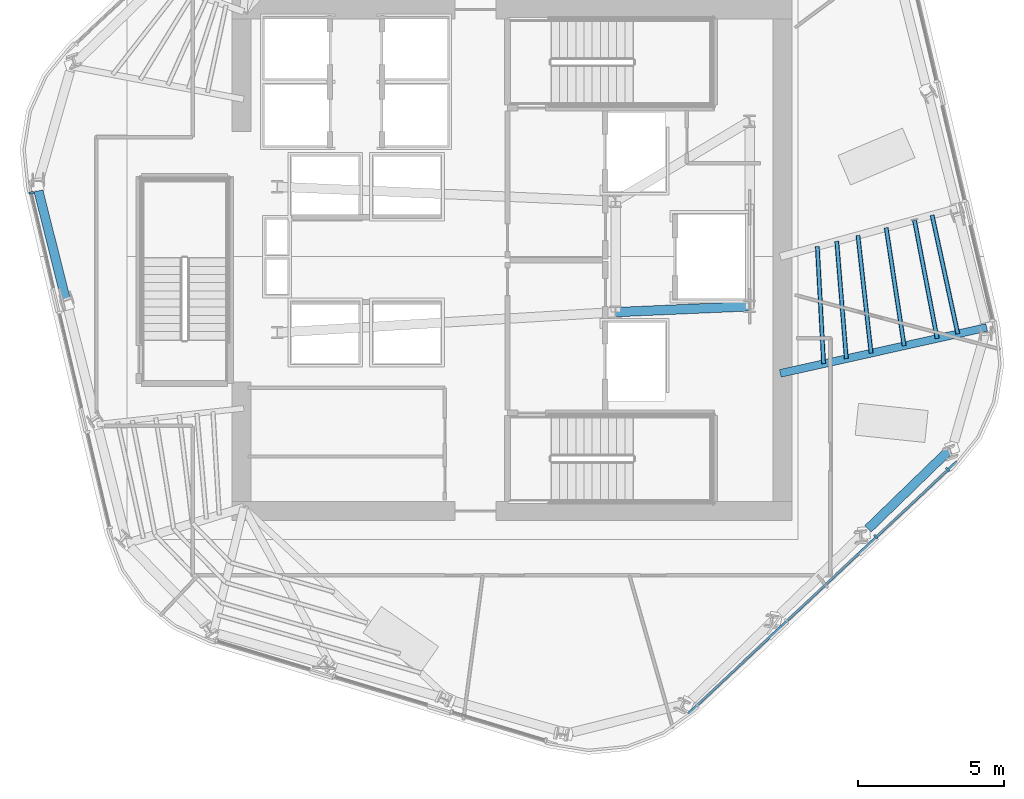
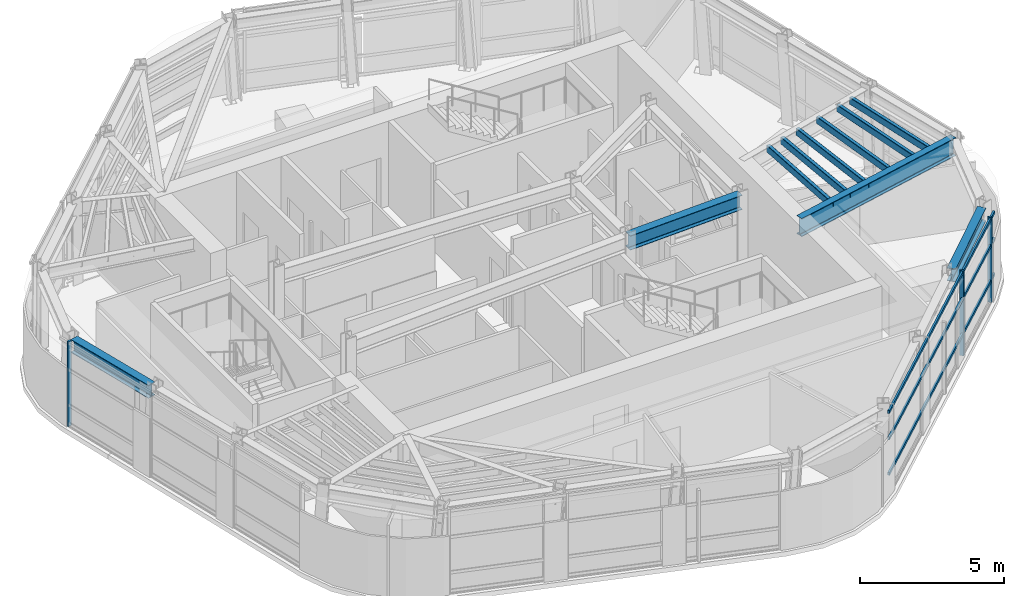
# One storey, part 3 of 14: 12 members, 4 beams, 2 elements without a shape of their own.
"""IFC4 building model written with IfcOpenShell, lengths in metres."""

from ifc_helpers import new_model, si_unit, direction, frame, origin, origin_2d, place, context, subcontext, project, spatial, rectangle, hollow_rectangle, i_section, extrude, material, layer, layer_set, material_profile, profile_set, type_object, element, aggregate, save


model = new_model("IFC4")

# Units and contexts
model_context = context("Model", 3, precision=1e-05, world=origin(), true_north=direction((0.0, 1.0)))
body_context = subcontext(model_context, "Body", "Model", "MODEL_VIEW")
ifc_project = project(units=[si_unit("LENGTHUNIT", "METRE"), si_unit("AREAUNIT", "SQUARE_METRE"), si_unit("VOLUMEUNIT", "CUBIC_METRE"), si_unit("PLANEANGLEUNIT", "RADIAN"), si_unit("MASSUNIT", "GRAM", prefix="KILO")], contexts=[model_context])

# Site, building, storey
site_placement = place(None, origin())
site = spatial("IfcSite", under=ifc_project, at=site_placement, CompositionType="ELEMENT")
building_placement = place(site_placement, origin())
building = spatial("IfcBuilding", under=site, at=building_placement, Name="Valkerne Bourse Tower", CompositionType="ELEMENT")
storey_placement = place(building_placement, frame((0.0, 0.0, 209.39990234375)))
storey = spatial("IfcBuildingStorey", under=building, at=storey_placement, Name="L53", CompositionType="ELEMENT", Elevation=209.39990234375)

# Beams
ifc_material_1 = material(Name="Steel ASTM A992", Category="steel")
ifc_material_profile_1 = material_profile(ifc_material_1, i_section(OverallWidth=0.31494140625, OverallDepth=0.5537109375, WebThickness=0.0166015625, FlangeThickness=0.026123046875, FilletRadius=0.020263671875, at=origin_2d()), Name="W21X132")
ifc_profile_set_1 = profile_set([ifc_material_profile_1], Name="Steel ASTM A992")
beam_type_1 = type_object("IfcBeamType", Name="BM-W21X132", PredefinedType="BEAM", material=ifc_profile_set_1)
beam_1_placement = place(storey_placement, frame((30.561279296875, 29.260009765625, 3.3232421875), z_axis=(0.243648217677, -0.969863673937, 0.0), x_axis=(0.969863673937, 0.243648217677, 0.0)))
element("IfcBeam", 1, at=beam_1_placement, inside=storey, type_object=beam_type_1, Name="L53 Hexagonal Spandrel Ring Beam 08", PredefinedType="BEAM", context=body_context, shape_type="SweptSolid", body=[
    extrude(i_section(OverallWidth=0.31494140625, OverallDepth=0.5537109375, WebThickness=0.0166015625, FlangeThickness=0.026123046875, FilletRadius=0.020263671875, at=origin_2d()), origin(), (0.0, 0.0, 1.0), 3.871826171875),
])
beam_2_placement = place(storey_placement, frame((59.011474609375, 17.669189453125, 3.3232421875), z_axis=(0.718085611477, 0.695954779127, 0.0), x_axis=(-0.695954779127, 0.718085611477, 0.0)))
element("IfcBeam", 2, at=beam_2_placement, inside=storey, type_object=beam_type_1, Name="L53 Hexagonal Spandrel Ring Beam 18", PredefinedType="BEAM", context=body_context, shape_type="SweptSolid", body=[
    extrude(i_section(OverallWidth=0.31494140625, OverallDepth=0.5537109375, WebThickness=0.0166015625, FlangeThickness=0.026123046875, FilletRadius=0.020263671875, at=origin_2d()), origin(), (0.0, 0.0, 1.0), 3.8720703125),
])
ifc_material_profile_2 = material_profile(ifc_material_1, i_section(OverallWidth=0.3251953125, OverallDepth=0.612060546875, WebThickness=0.0126953125, FlangeThickness=0.01904296875, FilletRadius=0.020263671875, at=origin_2d()), Name="W24X104")
ifc_profile_set_2 = profile_set([ifc_material_profile_2], Name="Steel ASTM A992")
beam_type_2 = type_object("IfcBeamType", Name="BM-W24X104", PredefinedType="BEAM", material=ifc_profile_set_2)
beam_3_placement = place(storey_placement, frame((50.35009765625, 25.10009765625, 3.294189453125), z_axis=(0.999056558506, 0.043428019819, 0.0), x_axis=(-0.043428019819, 0.999056558506, 0.0)))
element("IfcBeam", 3, at=beam_3_placement, inside=storey, type_object=beam_type_2, Name="L53 Core Frame Girder CG-SE", PredefinedType="BEAM", context=body_context, shape_type="SweptSolid", body=[
    extrude(i_section(OverallWidth=0.3251953125, OverallDepth=0.612060546875, WebThickness=0.0126953125, FlangeThickness=0.01904296875, FilletRadius=0.020263671875, at=origin_2d()), origin(), (0.0, 0.0, 1.0), 4.604248046875),
])
ifc_material_profile_3 = material_profile(ifc_material_1, i_section(OverallWidth=0.26806640625, OverallDepth=0.76953125, WebThickness=0.015625, FlangeThickness=0.025390625, FilletRadius=0.025390625, at=origin_2d()), Name="W30X132")
ifc_profile_set_3 = profile_set([ifc_material_profile_3], Name="Steel ASTM A992")
beam_type_3 = type_object("IfcBeamType", Name="BM-W30X132", PredefinedType="BEAM", material=ifc_profile_set_3)
beam_4_placement = place(storey_placement, frame((63.080078125, 24.574951171875, 3.21533203125), z_axis=(-0.976140309522, -0.217140728853, 0.0), x_axis=(0.217140728853, -0.976140309522, 0.0)))
element("IfcBeam", 4, at=beam_4_placement, inside=storey, type_object=beam_type_3, Name="L53 Radial Composite Floor Beam 20", PredefinedType="BEAM", context=body_context, shape_type="SweptSolid", body=[
    extrude(i_section(OverallWidth=0.26806640625, OverallDepth=0.76953125, WebThickness=0.015625, FlangeThickness=0.025390625, FilletRadius=0.025390625, at=origin_2d()), origin(), (0.0, 0.0, 1.0), 7.253173828125),
])

# Curtain wall, member
ifc_material_2 = material(Name="Aluminium AA 6063-T6", Category="aluminium")
ifc_layer = layer(ifc_material_2, 0.239990234375)
ifc_layer_set = layer_set([ifc_layer], Name="Aluminium AA 6063-T6")
curtain_wall_type = type_object("IfcCurtainWallType", Name="CW-04", PredefinedType="NOTDEFINED", material=ifc_layer_set)
curtain_wall_1_placement = place(storey_placement, origin())
curtain_wall_1 = element("IfcCurtainWall", 5, at=curtain_wall_1_placement, inside=storey, type_object=curtain_wall_type, Name="L53 Hexagonal Stick Curtain Wall Face 3", PredefinedType="NOTDEFINED")
ifc_material_profile_4 = material_profile(ifc_material_2, rectangle(XDim=0.074951171875, YDim=0.159912109375, at=origin_2d()), Name="CWM-75X160")
ifc_profile_set_4 = profile_set([ifc_material_profile_4], Name="Aluminium AA 6063-T6")
member_type_1 = type_object("IfcMemberType", Name="CW-MUL-160X75", PredefinedType="MULLION", material=ifc_profile_set_4)
member_1_placement = place(storey_placement, frame((30.324951171875, 29.19384765625, 0.0), z_axis=(0.0, 0.0, 1.0), x_axis=(0.228348506824, -0.973579457174, 0.0)))
member_1 = element("IfcMember", 6, at=member_1_placement, type_object=member_type_1, Name="CW-L53-F3 Jamb Mullion 00A", PredefinedType="MULLION", context=body_context, shape_type="SweptSolid", body=[
    extrude(rectangle(XDim=0.074951171875, YDim=0.159912109375, at=origin_2d()), origin(), (0.0, 0.0, 1.0), 3.60009765625),
])
aggregate(curtain_wall_1, [member_1])

# Curtain wall, members
curtain_wall_2_placement = place(storey_placement, origin())
curtain_wall_2 = element("IfcCurtainWall", 7, at=curtain_wall_2_placement, inside=storey, type_object=curtain_wall_type, Name="L53 Hexagonal Stick Curtain Wall Face 5", PredefinedType="NOTDEFINED")
member_2_placement = place(storey_placement, frame((59.2783203125, 17.40185546875, 0.0), z_axis=(0.0, 0.0, 1.0), x_axis=(0.728956485952, 0.684560035051, 0.0)))
member_2 = element("IfcMember", 8, at=member_2_placement, type_object=member_type_1, Name="CW-L53-F5 Jamb Mullion 02A", PredefinedType="MULLION", context=body_context, shape_type="SweptSolid", body=[
    extrude(rectangle(XDim=0.074951171875, YDim=0.159912109375, at=origin_2d()), origin(), (0.0, 0.0, 1.0), 3.60009765625),
])
member_3_placement = place(storey_placement, frame((61.736572265625, 19.710205078125, 0.0), z_axis=(0.0, 0.0, 1.0), x_axis=(0.728956485952, 0.684560035051, 0.0)))
member_3 = element("IfcMember", 9, at=member_3_placement, type_object=member_type_1, Name="CW-L53-F5 Jamb Mullion 02B", PredefinedType="MULLION", context=body_context, shape_type="SweptSolid", body=[
    extrude(rectangle(XDim=0.074951171875, YDim=0.159912109375, at=origin_2d()), origin(), (0.0, 0.0, 1.0), 3.60009765625),
])
ifc_material_profile_5 = material_profile(ifc_material_2, rectangle(XDim=0.074951171875, YDim=0.1201171875, at=origin_2d()), Name="CWT-75X120")
ifc_profile_set_5 = profile_set([ifc_material_profile_5], Name="Aluminium AA 6063-T6")
member_type_2 = type_object("IfcMemberType", Name="CW-TRN-120X75", PredefinedType="USERDEFINED", material=ifc_profile_set_5)
member_4_placement = place(storey_placement, frame((52.844970703125, 11.333251953125, 0.900146484375), z_axis=(0.728976613752, 0.684538601251, 0.0), x_axis=(-0.684538601251, 0.728976613752, 0.0)))
member_4 = element("IfcMember", 10, at=member_4_placement, type_object=member_type_2, Name="CW-L53-F5 Continuous Face Transom 2", ObjectType="TRANSOM", PredefinedType="USERDEFINED", context=body_context, shape_type="SweptSolid", body=[
    extrude(rectangle(XDim=0.074951171875, YDim=0.1201171875, at=origin_2d()), origin(), (0.0, 0.0, 1.0), 12.635986328125),
])
member_5_placement = place(storey_placement, frame((52.844970703125, 11.333251953125, 2.400146484375), z_axis=(0.728976613752, 0.684538601251, 0.0), x_axis=(-0.684538601251, 0.728976613752, 0.0)))
member_5 = element("IfcMember", 11, at=member_5_placement, type_object=member_type_2, Name="CW-L53-F5 Continuous Face Transom 3", ObjectType="TRANSOM", PredefinedType="USERDEFINED", context=body_context, shape_type="SweptSolid", body=[
    extrude(rectangle(XDim=0.074951171875, YDim=0.1201171875, at=origin_2d()), origin(), (0.0, 0.0, 1.0), 12.635986328125),
])
member_6_placement = place(storey_placement, frame((52.844970703125, 11.333251953125, 3.52001953125), z_axis=(0.728976613752, 0.684538601251, 0.0), x_axis=(-0.684538601251, 0.728976613752, 0.0)))
member_6 = element("IfcMember", 12, at=member_6_placement, type_object=member_type_2, Name="CW-L53-F5 Continuous Face Transom 4", ObjectType="TRANSOM", PredefinedType="USERDEFINED", context=body_context, shape_type="SweptSolid", body=[
    extrude(rectangle(XDim=0.074951171875, YDim=0.1201171875, at=origin_2d()), origin(), (0.0, 0.0, 1.0), 12.635986328125),
])
aggregate(curtain_wall_2, [member_4, member_5, member_6, member_2, member_3])

# Members
ifc_material_3 = material(Name="Steel ASTM A500 Grade C", Category="steel")
ifc_material_profile_6 = material_profile(ifc_material_3, hollow_rectangle(XDim=0.14990234375, YDim=0.300048828125, WallThickness=0.012451171875, OuterFilletRadius=0.02490234375, at=origin_2d()), Name="HSS300X150X12.5")
ifc_profile_set_6 = profile_set([ifc_material_profile_6], Name="Steel ASTM A500 Grade C")
member_type_3 = type_object("IfcMemberType", Name="MBR-HSS300X150X12.5", PredefinedType="PURLIN", material=ifc_profile_set_6)
member_7_placement = place(storey_placement, frame((58.265625, 23.50390625, 3.440185546875), z_axis=(-0.081265241672, 0.996692510505, 0.0), x_axis=(-0.996692510505, -0.081265241672, 0.0)))
element("IfcMember", 13, at=member_7_placement, inside=storey, type_object=member_type_3, Name="L53 Secondary Composite Floor Purlin I-20", PredefinedType="PURLIN", context=body_context, shape_type="SweptSolid", body=[
    extrude(hollow_rectangle(XDim=0.14990234375, YDim=0.300048828125, WallThickness=0.012451171875, OuterFilletRadius=0.02490234375, at=origin_2d()), origin(), (0.0, 0.0, 1.0), 4.040771484375),
])
member_8_placement = place(storey_placement, frame((59.115234375, 23.693115234375, 3.440185546875), z_axis=(-0.111117473437, 0.99380727865, 0.0), x_axis=(-0.99380727865, -0.111117473437, 0.0)))
element("IfcMember", 14, at=member_8_placement, inside=storey, type_object=member_type_3, Name="L53 Secondary Composite Floor Purlin K-20", PredefinedType="PURLIN", context=body_context, shape_type="SweptSolid", body=[
    extrude(hollow_rectangle(XDim=0.14990234375, YDim=0.300048828125, WallThickness=0.012451171875, OuterFilletRadius=0.02490234375, at=origin_2d()), origin(), (0.0, 0.0, 1.0), 4.0625),
])
member_9_placement = place(storey_placement, frame((61.380859375, 24.197021484375, 3.440185546875), z_axis=(-0.18840761552, 0.982090917591, 0.0), x_axis=(-0.982090917591, -0.18840761552, 0.0)))
element("IfcMember", 15, at=member_9_placement, inside=storey, type_object=member_type_3, Name="L53 Secondary Composite Floor Purlin O-20", PredefinedType="PURLIN", context=body_context, shape_type="SweptSolid", body=[
    extrude(hollow_rectangle(XDim=0.14990234375, YDim=0.300048828125, WallThickness=0.012451171875, OuterFilletRadius=0.02490234375, at=origin_2d()), origin(), (0.0, 0.0, 1.0), 4.138916015625),
])
member_10_placement = place(storey_placement, frame((60.248046875, 23.945068359375, 3.440185546875), z_axis=(-0.150266027917, 0.988645599218, 0.0), x_axis=(-0.988645599218, -0.150266027917, 0.0)))
element("IfcMember", 16, at=member_10_placement, inside=storey, type_object=member_type_3, Name="L53 Secondary Composite Floor Purlin Z-20", PredefinedType="PURLIN", context=body_context, shape_type="SweptSolid", body=[
    extrude(hollow_rectangle(XDim=0.14990234375, YDim=0.300048828125, WallThickness=0.012451171875, OuterFilletRadius=0.02490234375, at=origin_2d()), origin(), (0.0, 0.0, 1.0), 4.09765625),
])
member_11_placement = place(storey_placement, frame((57.48681640625, 23.330810546875, 3.440185546875), z_axis=(-0.053577913498, 0.998563672074, 0.0), x_axis=(-0.998563672074, -0.053577913498, 0.0)))
element("IfcMember", 17, at=member_11_placement, inside=storey, type_object=member_type_3, Name="L53 Secondary Composite Floor Purlin S-20", PredefinedType="PURLIN", context=body_context, shape_type="SweptSolid", body=[
    extrude(hollow_rectangle(XDim=0.14990234375, YDim=0.300048828125, WallThickness=0.012451171875, OuterFilletRadius=0.02490234375, at=origin_2d()), origin(), (0.0, 0.0, 1.0), 4.023681640625),
])
member_12_placement = place(storey_placement, frame((62.0888671875, 24.3544921875, 3.440185546875), z_axis=(-0.211760807232, 0.977321523615, 0.0), x_axis=(-0.977321523615, -0.211760807232, 0.0)))
element("IfcMember", 18, at=member_12_placement, inside=storey, type_object=member_type_3, Name="L53 Secondary Composite Floor Purlin T-20", PredefinedType="PURLIN", context=body_context, shape_type="SweptSolid", body=[
    extrude(hollow_rectangle(XDim=0.14990234375, YDim=0.300048828125, WallThickness=0.012451171875, OuterFilletRadius=0.02490234375, at=origin_2d()), origin(), (0.0, 0.0, 1.0), 4.167724609375),
])

save(model, "model.ifc")
